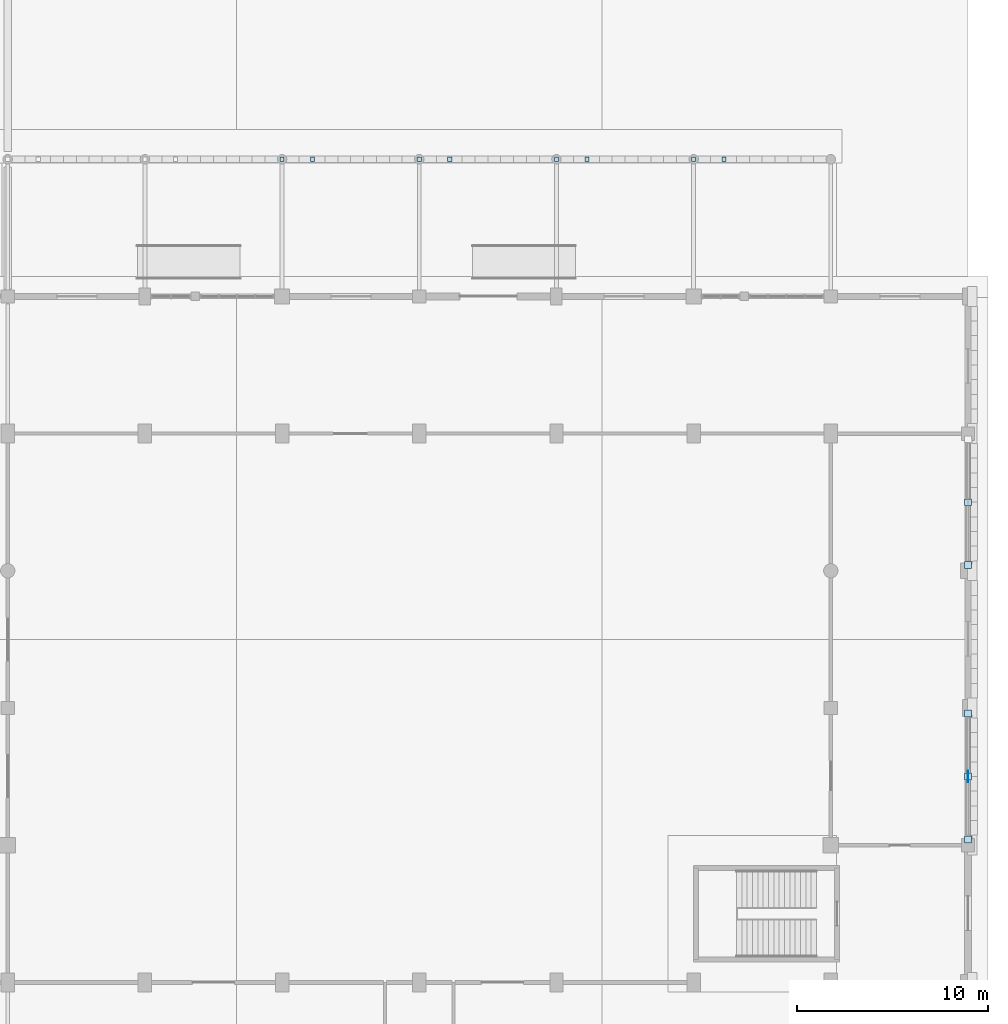
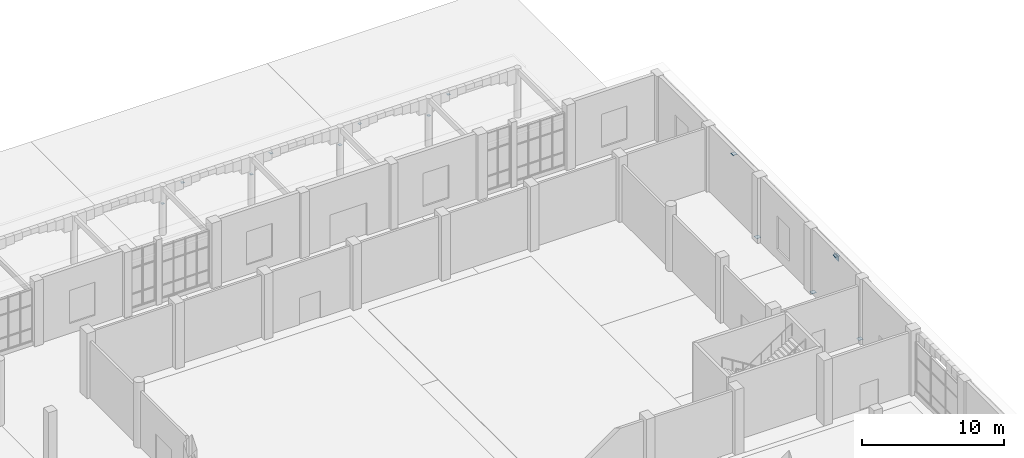
# One storey, part 52 of 85: 14 plates.
"""IFC4 building model written with IfcOpenShell, lengths in metres."""

import ifcopenshell
import ifcopenshell.guid

model = None  # the IFC model being written
_history = None  # IfcOwnerHistory: only IFC2X3 demands one
_inside = {}  # id of a spatial element -> (the spatial element, [elements in it])
_under = {}  # id of a project, library or spatial element -> (it, [spatial elements below it])
_declared = {}  # id of a project -> (the project, [libraries it declares])
_typed = {}  # id of a type object -> (the type object, [elements of that type])
_made_of = {}  # id of a material, layer set ... -> (it, [elements and type objects made of it])


def new_model(schema):
    """Start an empty IFC model of exactly this schema.

    Asked for "IFC4X3", IfcOpenShell would pick the latest addendum, in which some entities
    have other attributes; the version numbers below select the first issue.
    IFC2X3 requires an IfcOwnerHistory on every rooted entity: one is made here for all.
    """
    global model, _history
    if schema == "IFC4X3":
        model = ifcopenshell.file(schema_version=(4, 3, 0, 0))
    else:
        model = ifcopenshell.file(schema=schema)
    _inside.clear()
    _under.clear()
    _declared.clear()
    _typed.clear()
    _made_of.clear()
    _history = None
    if model.schema == "IFC2X3":
        org = make("IfcOrganization", Name="unknown")
        user = make(
            "IfcPersonAndOrganization",
            ThePerson=make("IfcPerson", FamilyName="unknown"),
            TheOrganization=org,
        )
        app = make(
            "IfcApplication",
            ApplicationDeveloper=org,
            Version="unknown",
            ApplicationFullName="unknown",
            ApplicationIdentifier="unknown",
        )
        _history = make(
            "IfcOwnerHistory",
            OwningUser=user,
            OwningApplication=app,
            ChangeAction="ADDED",
            CreationDate=0,
        )
    return model


def make(cls, **values):
    """One entity of the class cls with the attributes given. An attribute that is None is left unset."""
    return model.create_entity(
        cls, **{name: value for name, value in values.items() if value is not None}
    )


def rooted(cls, **values):
    """An entity with a GlobalId (a new one), such as an element, a storey or a relation."""
    return make(cls, GlobalId=ifcopenshell.guid.new(), OwnerHistory=_history, **values)


def si_unit(unit_type, name, prefix=None):
    """IfcSIUnit, for example si_unit("LENGTHUNIT", "METRE", prefix="MILLI")."""
    return make("IfcSIUnit", UnitType=unit_type, Prefix=prefix, Name=name)


def assignment(units):
    """IfcUnitAssignment: the units of a project."""
    return None if units is None else make("IfcUnitAssignment", Units=units)


def point(xyz):
    """IfcCartesianPoint."""
    return None if xyz is None else make("IfcCartesianPoint", Coordinates=xyz)


def direction(xyz):
    """IfcDirection."""
    return None if xyz is None else make("IfcDirection", DirectionRatios=xyz)


def frame(location, z_axis=None, x_axis=None):
    """IfcAxis2Placement3D, a coordinate frame: its origin and axes. An axis left out is left unset."""
    return make(
        "IfcAxis2Placement3D",
        Location=point(location),
        Axis=direction(z_axis),
        RefDirection=direction(x_axis),
    )


def frame_2d(location, x_axis=None):
    """IfcAxis2Placement2D, a coordinate frame in the plane: its origin and x axis."""
    return make(
        "IfcAxis2Placement2D", Location=point(location), RefDirection=direction(x_axis)
    )


def origin():
    """The frame at (0, 0, 0) with its axes left unset."""
    return frame((0.0, 0.0, 0.0))


def origin_2d():
    """The frame at (0, 0) in the plane with its x axis left unset."""
    return frame_2d((0.0, 0.0))


def place(relative_to, where):
    """IfcLocalPlacement: puts the frame where relative to a parent placement (None: the world)."""
    return make(
        "IfcLocalPlacement", PlacementRelTo=relative_to, RelativePlacement=where
    )


def context(
    kind, dimensions, precision=None, world=None, true_north=None, identifier=None
):
    """IfcGeometricRepresentationContext, for example the 3D "Model" context."""
    return make(
        "IfcGeometricRepresentationContext",
        ContextIdentifier=identifier,
        ContextType=kind,
        CoordinateSpaceDimension=dimensions,
        Precision=precision,
        WorldCoordinateSystem=world,
        TrueNorth=true_north,
    )


def subcontext(parent, identifier, kind, view, scale=None):
    """IfcGeometricRepresentationSubContext, for example "Body" below "Model"."""
    return make(
        "IfcGeometricRepresentationSubContext",
        ContextIdentifier=identifier,
        ContextType=kind,
        ParentContext=parent,
        TargetScale=scale,
        TargetView=view,
    )


def project(units=None, contexts=None):
    """IfcProject with its units and contexts."""
    return rooted(
        "IfcProject",
        Name="project",
        RepresentationContexts=contexts,
        UnitsInContext=assignment(units),
    )


def spatial(cls, under=None, at=None, **own):
    """A site, building, storey or space (cls), placed at a placement, below another one or the project."""
    s = rooted(cls, ObjectPlacement=at, **own)
    if under is not None:
        _under.setdefault(under.id(), (under, []))[1].append(s)
    return s


def profile(cls, at=None, kind="AREA", **sizes):
    """A parametric profile (cls). Its sizes go by their IFC names, for example OverallWidth=200.0."""
    return make(cls, ProfileType=kind, Position=at, **sizes)


def rectangle(**sizes):
    """IfcRectangleProfileDef."""
    return profile("IfcRectangleProfileDef", **sizes)


def extrude(swept, where, along, depth):
    """IfcExtrudedAreaSolid: the profile swept, set in the frame where, extruded along a direction by depth."""
    return make(
        "IfcExtrudedAreaSolid",
        SweptArea=swept,
        Position=where,
        ExtrudedDirection=direction(along),
        Depth=depth,
    )


def shape(context_of_items, identifier, shape_type, items):
    """IfcShapeRepresentation: the items that make up one representation, for example the "Body"."""
    return make(
        "IfcShapeRepresentation",
        ContextOfItems=context_of_items,
        RepresentationIdentifier=identifier,
        RepresentationType=shape_type,
        Items=items,
    )


def material(Name=None, Category=None):
    """IfcMaterial."""
    return make("IfcMaterial", Name=Name, Category=Category)


def layer(
    of_material, thickness, ventilated=None, Name=None, Category=None, Priority=None
):
    """IfcMaterialLayer: one layer of a wall or slab, of a material (None: an air gap)."""
    return make(
        "IfcMaterialLayer",
        Material=of_material,
        LayerThickness=thickness,
        IsVentilated=ventilated,
        Name=Name,
        Category=Category,
        Priority=Priority,
    )


def layer_set(layers, Name=None):
    """IfcMaterialLayerSet."""
    return make("IfcMaterialLayerSet", MaterialLayers=layers, LayerSetName=Name)


def made_of(thing, what):
    """Note that an element or type object is made of a material, layer set ...; save() writes the relation."""
    if what is not None:
        _made_of.setdefault(what.id(), (what, []))[1].append(thing)
    return thing


def type_object(cls, material=None, **own):
    """A type object (cls), such as IfcWallType, which elements share."""
    return made_of(rooted(cls, **own), material)


def element(
    cls,
    number,
    at=None,
    inside=None,
    cuts=None,
    type_object=None,
    material=None,
    context=None,
    identifier="Body",
    shape_type=None,
    held_by="IfcProductDefinitionShape",
    body=None,
    shapes=None,
    **own,
):
    """One element of the class cls, such as IfcWall. Its Tag is "e" and its number.

    at: its placement. inside: the storey or other place that contains it. cuts: it is an
    opening in that element (IfcRelVoidsElement). A single representation is given by context,
    identifier, shape_type and body (its items); several are given by shapes. held_by: the class
    of the entity that holds the representations. save() writes the other relations.
    """
    e = rooted(cls, Tag="e%d" % number, ObjectPlacement=at, **own)
    if body is not None:
        shapes = [shape(context, identifier, shape_type, body)]
    if shapes is not None:
        e.Representation = make(held_by, Representations=shapes)
    if inside is not None:
        _inside.setdefault(inside.id(), (inside, []))[1].append(e)
    if cuts is not None:
        rooted(
            "IfcRelVoidsElement", RelatingBuildingElement=cuts, RelatedOpeningElement=e
        )
    if type_object is not None:
        _typed.setdefault(type_object.id(), (type_object, []))[1].append(e)
    return made_of(e, material)


def aggregate(whole, parts):
    """IfcRelAggregates: a whole, such as a stair, and the parts it consists of."""
    return rooted("IfcRelAggregates", RelatingObject=whole, RelatedObjects=parts)


def save(model, path):
    """Write the relations noted so far, then the file.

    IfcRelAggregates (storeys below a building ...), IfcRelContainedInSpatialStructure (elements
    in a storey), IfcRelDefinesByType, IfcRelAssociatesMaterial and IfcRelDeclares: one each for
    every whole, place, type object, material and project.
    """
    for whole, parts in _under.values():
        aggregate(whole, parts)
    for where, things in _inside.values():
        rooted(
            "IfcRelContainedInSpatialStructure",
            RelatedElements=things,
            RelatingStructure=where,
        )
    for kind, things in _typed.values():
        rooted("IfcRelDefinesByType", RelatedObjects=things, RelatingType=kind)
    for what, things in _made_of.values():
        rooted("IfcRelAssociatesMaterial", RelatedObjects=things, RelatingMaterial=what)
    for by, libraries in _declared.values():
        rooted("IfcRelDeclares", RelatingContext=by, RelatedDefinitions=libraries)
    model.write(path)


model = new_model("IFC4")

# Units and contexts
model_context = context("Model", 3, precision=1e-05, world=origin(), true_north=direction((0.0, 1.0)))
body_context = subcontext(model_context, "Body", "Model", "MODEL_VIEW")
ifc_project = project(units=[si_unit("LENGTHUNIT", "METRE"), si_unit("AREAUNIT", "SQUARE_METRE"), si_unit("VOLUMEUNIT", "CUBIC_METRE"), si_unit("PLANEANGLEUNIT", "RADIAN"), si_unit("MASSUNIT", "GRAM", prefix="KILO")], contexts=[model_context])

# Site, building, storey
site_placement = place(None, origin())
site = spatial("IfcSite", under=ifc_project, at=site_placement, CompositionType="ELEMENT")
building_placement = place(site_placement, origin())
building = spatial("IfcBuilding", under=site, at=building_placement, Name="Sardonyx Promenade Sports Hall", CompositionType="ELEMENT")
storey_placement = place(building_placement, origin())
storey = spatial("IfcBuildingStorey", under=building, at=storey_placement, Name="L00", CompositionType="ELEMENT", Elevation=0.0)

# Plates
ifc_material_1 = material(Name="Steel S355JR", Category="steel")
ifc_layer_1 = layer(ifc_material_1, 0.02001953125)
ifc_layer_set_1 = layer_set([ifc_layer_1], Name="Plt_EndCap_EC1")
plate_type_1 = type_object("IfcPlateType", Name="Plt_EndCap_EC1", PredefinedType="USERDEFINED", material=ifc_layer_set_1)
for number, where, z_axis, x_axis, name in (
    (1, (165.60009765625, 57.89990234375, 0.010009765625), (0.0, 0.0, 1.0), (1.0, 0.0, 0.0), "Brace foot end-cap plate EC1 BF3 L00 L1"),
    (2, (165.60009765625, 64.5, 0.010009765625), (0.0, 0.0, 1.0), (1.0, 0.0, 0.0), "Brace foot end-cap plate EC1 BF3 L00 L2"),
    (3, (165.60009765625, 61.199951171875, 5.155029296875), (0.0, 0.0, 1.0), (1.0, 0.0, 0.0), "Brace apex cap plate EC1 BF3 L00"),
    (4, (165.60009765625, 72.300048828125, 0.010009765625), (0.0, 0.0, 1.0), (1.0, 0.0, 0.0), "Brace foot end-cap plate EC1 BF4 L00 L1"),
    (5, (165.60009765625, 75.60009765625, 5.155029296875), (0.0, 0.0, 1.0), (1.0, 0.0, 0.0), "Brace apex cap plate EC1 BF4 L00"),
):
    element("IfcPlate", number, at=place(storey_placement, frame(where, z_axis=z_axis, x_axis=x_axis)), inside=storey, type_object=plate_type_1, Name=name, ObjectType="END CAP PLATE", PredefinedType="USERDEFINED", context=body_context, shape_type="SweptSolid", body=[
        extrude(rectangle(XDim=0.360107421875, YDim=0.360107421875, at=origin_2d()), origin(), (0.0, 0.0, 1.0), 0.02001953125),
    ])
ifc_material_2 = material(Name="Steel S355JR", Category="steel")
ifc_layer_2 = layer(ifc_material_2, 0.011962890625)
ifc_layer_set_2 = layer_set([ifc_layer_2], Name="Plt_EndCap_EC3")
plate_type_2 = type_object("IfcPlateType", Name="Plt_EndCap_EC3", PredefinedType="USERDEFINED", material=ifc_layer_set_2)
for number, where, z_axis, x_axis, name in (
    (6, (129.60009765625, 93.60009765625, 2.59423828125), (0.0, 0.0, 1.0), (1.0, 0.0, 0.0), "Pergola strut end-cap #8B"),
    (7, (131.199951171875, 93.60009765625, 3.84423828125), (0.0, 0.0, 1.0), (1.0, 0.0, 0.0), "Pergola strut end-cap #8T"),
    (8, (136.800048828125, 93.60009765625, 2.59423828125), (0.0, 0.0, 1.0), (1.0, 0.0, 0.0), "Pergola strut end-cap #9B"),
    (9, (138.39990234375, 93.60009765625, 3.84423828125), (0.0, 0.0, 1.0), (1.0, 0.0, 0.0), "Pergola strut end-cap #9T"),
    (10, (144.0, 93.60009765625, 2.59423828125), (0.0, 0.0, 1.0), (1.0, 0.0, 0.0), "Pergola strut end-cap #10B"),
    (11, (145.60009765625, 93.60009765625, 3.84423828125), (0.0, 0.0, 1.0), (1.0, 0.0, 0.0), "Pergola strut end-cap #10T"),
    (12, (151.199951171875, 93.60009765625, 2.59423828125), (0.0, 0.0, 1.0), (1.0, 0.0, 0.0), "Pergola strut end-cap #11B"),
    (13, (152.800048828125, 93.60009765625, 3.84423828125), (0.0, 0.0, 1.0), (1.0, 0.0, 0.0), "Pergola strut end-cap #11T"),
):
    element("IfcPlate", number, at=place(storey_placement, frame(where, z_axis=z_axis, x_axis=x_axis)), inside=storey, type_object=plate_type_2, Name=name, ObjectType="END CAP PLATE", PredefinedType="USERDEFINED", context=body_context, shape_type="SweptSolid", body=[
        extrude(rectangle(XDim=0.219970703125, YDim=0.219970703125, at=origin_2d()), origin(), (0.0, 0.0, 1.0), 0.011962890625),
    ])
ifc_material_3 = material(Name="Steel S355JR", Category="steel")
ifc_layer_3 = layer(ifc_material_3, 0.02490234375)
ifc_layer_set_3 = layer_set([ifc_layer_3], Name="Plt_Gusset_KN1")
plate_type_3 = type_object("IfcPlateType", Name="Plt_Gusset_KN1", PredefinedType="USERDEFINED", material=ifc_layer_set_3)
plate_placement = place(storey_placement, frame((165.60009765625, 61.199951171875, 4.80517578125), z_axis=(0.0, 0.0, 1.0), x_axis=(0.0, 1.0, 0.0)))
element("IfcPlate", 14, at=plate_placement, inside=storey, type_object=plate_type_3, Name="Braced-frame apex gusset KN1 BF3 L00", ObjectType="GUSSET PLATE", PredefinedType="USERDEFINED", context=body_context, shape_type="SweptSolid", body=[
    extrude(rectangle(XDim=0.60009765625, YDim=0.02490234375, at=origin_2d()), origin(), (0.0, 0.0, 1.0), 0.449951171875),
])

save(model, "model.ifc")
